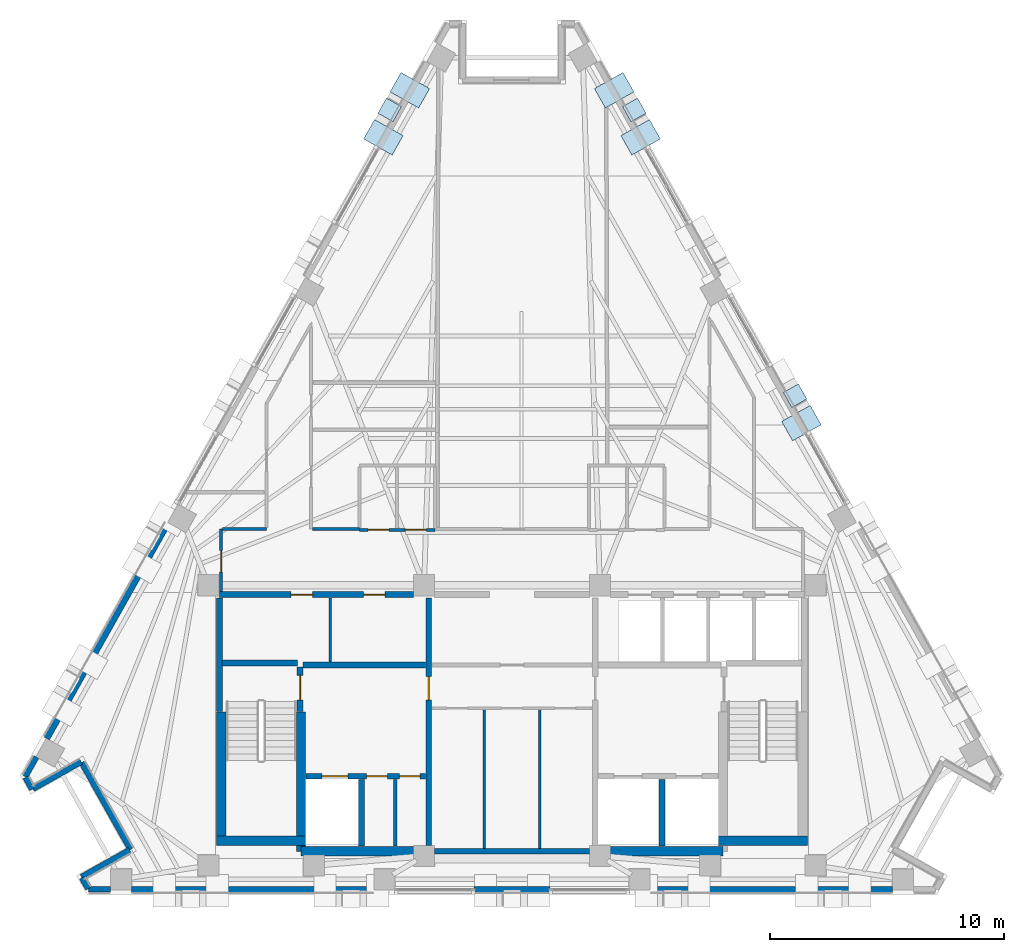
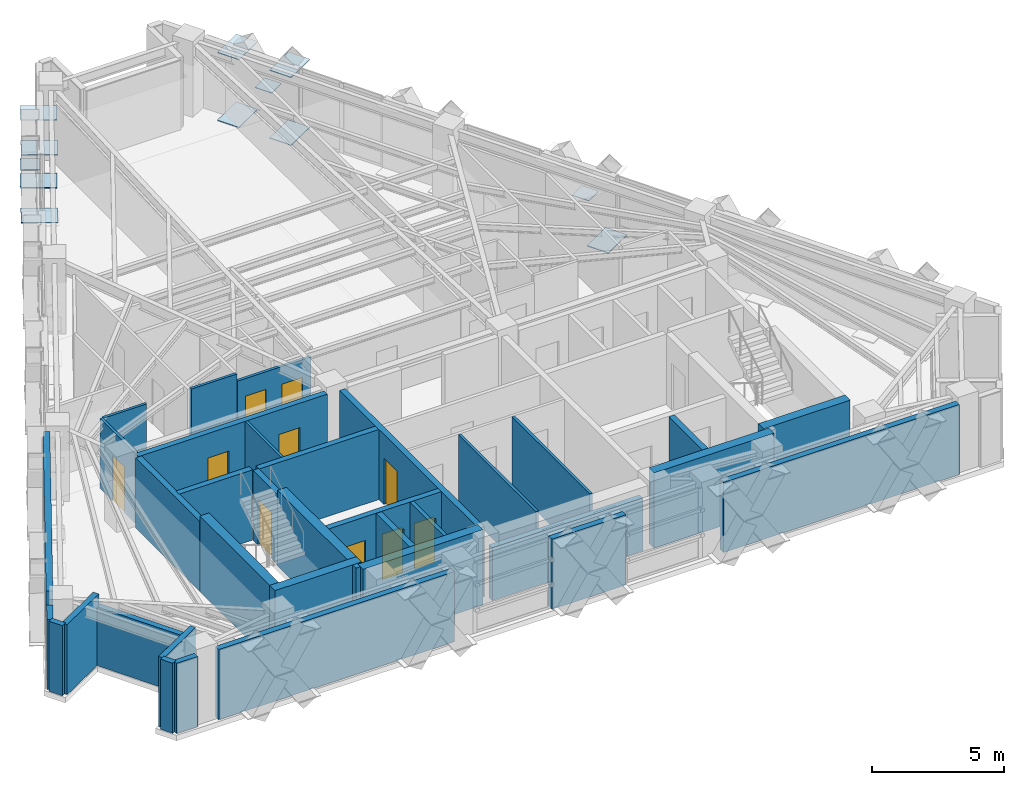
# One storey, part 7 of 13: 35 walls, 12 plates, 10 doors, 10 openings.
"""IFC4 building model written with IfcOpenShell, lengths in metres."""

from ifc_helpers import new_model, si_unit, direction, frame, frame_2d, origin, origin_2d, place, context, subcontext, project, spatial, rectangle, extrude, material, layer, layer_set, type_object, element, fill, save


model = new_model("IFC4")

# Units and contexts
model_context = context("Model", 3, precision=1e-05, world=origin(), true_north=direction((0.0, 1.0)))
body_context = subcontext(model_context, "Body", "Model", "MODEL_VIEW")
ifc_project = project(units=[si_unit("LENGTHUNIT", "METRE"), si_unit("AREAUNIT", "SQUARE_METRE"), si_unit("VOLUMEUNIT", "CUBIC_METRE"), si_unit("PLANEANGLEUNIT", "RADIAN"), si_unit("MASSUNIT", "GRAM", prefix="KILO")], contexts=[model_context])

# Site, building, storey
site_placement = place(None, origin())
site = spatial("IfcSite", under=ifc_project, at=site_placement, CompositionType="ELEMENT")
building_placement = place(site_placement, origin())
building = spatial("IfcBuilding", under=site, at=building_placement, Name="Quenlor Broadcast Tower", CompositionType="ELEMENT")
storey_placement = place(building_placement, frame((0.0, 0.0, 214.89990234375)))
storey = spatial("IfcBuildingStorey", under=building, at=storey_placement, Name="L59", CompositionType="ELEMENT", Elevation=214.89990234375)

# Plates
ifc_material_1 = material(Name="Steel S355", Category="steel")
ifc_layer_1 = layer(ifc_material_1, 0.028076171875)
ifc_layer_set_1 = layer_set([ifc_layer_1], Name="Perimeter Lattice Node Steel S355 Cap Plate 740x740x28")
plate_type_1 = type_object("IfcPlateType", Name="Perimeter Lattice Node Steel S355 Cap Plate 740x740x28", PredefinedType="USERDEFINED", material=ifc_layer_set_1)
for number, where, z_axis, x_axis, name in (
    (1, (5.21484375, 15.4755859375, 1.6162109375), (0.0, 0.0, 1.0), (0.490295412055, -0.871556314255, 0.0), "L59 Diamond Lattice Crossing Node NE-C1"),
    (2, (12.0732421875, 3.283447265625, 1.6162109375), (0.0, 0.0, 1.0), (0.490295412055, -0.871556314255, 0.0), "L59 Diamond Lattice Crossing Node NE-C3"),
    (3, (-5.21484375, 15.4755859375, 1.6162109375), (0.0, 0.0, 1.0), (0.490295412055, 0.871556314255, 0.0), "L59 Diamond Lattice Crossing Node NW-C5"),
):
    element("IfcPlate", number, at=place(storey_placement, frame(where, z_axis=z_axis, x_axis=x_axis)), inside=storey, type_object=plate_type_1, Name=name, ObjectType="CAP PLATE", PredefinedType="USERDEFINED", context=body_context, shape_type="SweptSolid", body=[
        extrude(rectangle(XDim=0.739990234375, YDim=0.739990234375, at=origin_2d()), origin(), (0.0, 0.0, 1.0), 0.028076171875),
    ])
ifc_material_2 = material(Name="Steel S355", Category="steel")
ifc_layer_2 = layer(ifc_material_2, 0.035888671875)
ifc_layer_set_2 = layer_set([ifc_layer_2], Name="Transfer Truss Steel S355 Gusset Node Plate 1400x950x36")
plate_type_2 = type_object("IfcPlateType", Name="Transfer Truss Steel S355 Gusset Node Plate 1400x950x36", PredefinedType="SHEET", material=ifc_layer_set_2)
for number, where, z_axis, x_axis, name in (
    (4, (4.3583984375, 16.315185546875, 0.0419921875), (0.0, 0.0, 1.0), (0.871556314255, 0.490295412055, 0.0), "L59 Lattice Tie Gusset Node NE-B1"),
    (5, (5.48779296875, 14.3076171875, 3.18212890625), (0.0, 0.0, 1.0), (0.871556314255, 0.490295412055, 0.0), "L59 Lattice Tie Gusset Node NE-T2"),
    (6, (5.48779296875, 14.3076171875, 0.0419921875), (0.0, 0.0, 1.0), (0.871556314255, 0.490295412055, 0.0), "L59 Lattice Tie Gusset Node NE-B2"),
    (7, (4.3583984375, 16.315185546875, 3.18212890625), (0.0, 0.0, 1.0), (0.871556314255, 0.490295412055, 0.0), "L59 Lattice Tie Gusset Node NE-T1"),
    (8, (12.345947265625, 2.115234375, 0.0419921875), (0.0, 0.0, 1.0), (0.871556314255, 0.490295412055, 0.0), "L59 Lattice Tie Gusset Node NE-B8"),
    (9, (-5.48779296875, 14.3076171875, 0.0419921875), (0.0, 0.0, 1.0), (-0.871556314255, 0.490295412055, 0.0), "L59 Lattice Tie Gusset Node NW-B13"),
    (10, (-4.3583984375, 16.315185546875, 3.18212890625), (0.0, 0.0, 1.0), (-0.871556314255, 0.490295412055, 0.0), "L59 Lattice Tie Gusset Node NW-T14"),
    (11, (-4.3583984375, 16.315185546875, 0.0419921875), (0.0, 0.0, 1.0), (-0.871556314255, 0.490295412055, 0.0), "L59 Lattice Tie Gusset Node NW-B14"),
    (12, (-5.48779296875, 14.3076171875, 3.18212890625), (0.0, 0.0, 1.0), (-0.871556314255, 0.490295412055, 0.0), "L59 Lattice Tie Gusset Node NW-T13"),
):
    element("IfcPlate", number, at=place(storey_placement, frame(where, z_axis=z_axis, x_axis=x_axis)), inside=storey, type_object=plate_type_2, Name=name, PredefinedType="SHEET", context=body_context, shape_type="SweptSolid", body=[
        extrude(rectangle(XDim=1.39990234375, YDim=0.949951171875, at=origin_2d()), origin(), (0.0, 0.0, 1.0), 0.035888671875),
    ])

# Walls
ifc_material_3 = material(Name="Concrete C50/60", Category="concrete")
ifc_layer_3 = layer(ifc_material_3, 0.39990234375)
ifc_layer_set_3 = layer_set([ifc_layer_3], Name="Core Concrete C50/60 Shear Wall 400")
wall_type_1 = type_object("IfcWallType", Name="Core Concrete C50/60 Shear Wall 400", PredefinedType="SHEAR", material=ifc_layer_set_3)
wall_1_placement = place(storey_placement, frame((-12.60009765625, -15.699951171875, 0.0), z_axis=(0.0, 0.0, 1.0), x_axis=(1.0, 0.0, 0.0)))
element("IfcWall", 13, at=wall_1_placement, inside=storey, type_object=wall_type_1, Name="L59 Core Shear Wall WS-W1", PredefinedType="SHEAR", context=body_context, shape_type="SweptSolid", body=[
    extrude(rectangle(XDim=3.800048828125, YDim=0.39990234375, at=frame_2d((1.89990234375, 0.0))), origin(), (0.0, 0.0, 1.0), 3.5),
])
for number, where, z_axis, x_axis, name in (
    (14, (-9.0, -16.14990234375, 0.0), (0.0, 0.0, 1.0), (1.0, 0.0, 0.0), "L59 Core Shear Wall WS-W2"),
    (15, (3.75, -16.14990234375, 0.0), (0.0, 0.0, 1.0), (1.0, 0.0, 0.0), "L59 Core Shear Wall WS-E1"),
):
    element("IfcWall", number, at=place(storey_placement, frame(where, z_axis=z_axis, x_axis=x_axis)), inside=storey, type_object=wall_type_1, Name=name, PredefinedType="SHEAR", context=body_context, shape_type="SweptSolid", body=[
        extrude(rectangle(XDim=5.25, YDim=0.39990234375, at=frame_2d((2.625, 0.0))), origin(), (0.0, 0.0, 1.0), 3.5),
    ])
wall_2_placement = place(storey_placement, frame((8.800048828125, -15.699951171875, 0.0), z_axis=(0.0, 0.0, 1.0), x_axis=(1.0, 0.0, 0.0)))
element("IfcWall", 16, at=wall_2_placement, inside=storey, type_object=wall_type_1, Name="L59 Core Shear Wall WS-E2", PredefinedType="SHEAR", context=body_context, shape_type="SweptSolid", body=[
    extrude(rectangle(XDim=3.800048828125, YDim=0.39990234375, at=frame_2d((1.89990234375, 0.0))), origin(), (0.0, 0.0, 1.0), 3.5),
])
wall_3_placement = place(storey_placement, frame((-12.39990234375, -15.699951171875, 0.0), z_axis=(0.0, 0.0, 1.0), x_axis=(0.0, 1.0, 0.0)))
element("IfcWall", 17, at=wall_3_placement, inside=storey, type_object=wall_type_1, Name="L59 Core Shear Wall WF-W", PredefinedType="SHEAR", context=body_context, shape_type="SweptSolid", body=[
    extrude(rectangle(XDim=5.5, YDim=0.39990234375, at=frame_2d((2.75, 0.0))), origin(), (0.0, 0.0, 1.0), 3.5),
])
wall_4_placement = place(storey_placement, frame((-9.0, -16.14990234375, 0.0), z_axis=(0.0, 0.0, 1.0), x_axis=(0.0, 1.0, 0.0)))
element("IfcWall", 18, at=wall_4_placement, inside=storey, type_object=wall_type_1, Name="L59 Core Shear Wall WI-W", PredefinedType="SHEAR", context=body_context, shape_type="SweptSolid", body=[
    extrude(rectangle(XDim=5.949951171875, YDim=0.39990234375, at=frame_2d((2.97509765625, 0.0))), origin(), (0.0, 0.0, 1.0), 3.5),
])

# Wall, opening, door
ifc_material_4 = material(Name="Concrete C40/50", Category="concrete")
ifc_layer_4 = layer(ifc_material_4, 0.25)
ifc_layer_set_4 = layer_set([ifc_layer_4], Name="Fire Rated Concrete C40/50 Core Wall 250")
wall_type_2 = type_object("IfcWallType", Name="Fire Rated Concrete C40/50 Core Wall 250", PredefinedType="PARTITIONING", material=ifc_layer_set_4)
wall_5_placement = place(storey_placement, frame((-9.0400390625, -10.179931640625, 0.0), z_axis=(0.0, 0.0, 1.0), x_axis=(0.0, 1.0, 0.0)))
wall_5 = element("IfcWall", 19, at=wall_5_placement, inside=storey, type_object=wall_type_2, Name="L59 Interior Wall CW-ST1-DR", PredefinedType="PARTITIONING", context=body_context, shape_type="SweptSolid", body=[
    extrude(rectangle(XDim=1.89990234375, YDim=0.25, at=frame_2d((0.949951171875, 0.0))), origin(), (0.0, 0.0, 1.0), 3.25),
])
opening_1_placement = place(wall_5_placement, frame((0.47998046875, 0.0, 0.0)))
opening_1 = element("IfcOpeningElement", 20, at=opening_1_placement, cuts=wall_5, Name="Opening FD-1", PredefinedType="OPENING", context=body_context, shape_type="SweptSolid", body=[
    extrude(rectangle(XDim=1.050048828125, YDim=2.14990234375, at=frame_2d((0.52490234375, 1.074951171875))), frame((0.0, 0.135009765625, 0.0), z_axis=(0.0, -1.0, 0.0), x_axis=(1.0, 0.0, 0.0)), (0.0, 0.0, 1.0), 0.27001953125),
])
ifc_material_5 = material(Name="Fire Rated Steel Door Leaf", Category="steel")
door_type_1 = type_object("IfcDoorType", Name="Fire Isolated Stair Door 1050x2150", OperationType="NOTDEFINED", PredefinedType="DOOR", material=ifc_material_5)
door_1_placement = place(opening_1_placement, origin())
door_1 = element("IfcDoor", 21, at=door_1_placement, inside=storey, type_object=door_type_1, Name="L59 Door DR-ST1", OperationType="SINGLE_SWING_LEFT", OverallHeight=2.14990234375, OverallWidth=1.050048828125, PredefinedType="DOOR", context=body_context, shape_type="SweptSolid", body=[
    extrude(rectangle(XDim=1.050048828125, YDim=2.14990234375, at=frame_2d((0.52490234375, 1.074951171875))), frame((0.0, 0.02490234375, 0.0), z_axis=(0.0, -1.0, 0.0), x_axis=(1.0, 0.0, 0.0)), (0.0, 0.0, 1.0), 0.050048828125),
])
fill(opening_1, door_1)

# Walls
wall_6_placement = place(storey_placement, frame((-12.3798828125, -8.1201171875, 0.0), z_axis=(0.0, 0.0, 1.0), x_axis=(1.0, 0.0, 0.0)))
element("IfcWall", 22, at=wall_6_placement, inside=storey, type_object=wall_type_2, Name="L59 Interior Wall CW-ST1-N", PredefinedType="PARTITIONING", context=body_context, shape_type="SweptSolid", body=[
    extrude(rectangle(XDim=3.219970703125, YDim=0.25, at=frame_2d((1.60986328125, 0.0))), origin(), (0.0, 0.0, 1.0), 3.25),
])
wall_7_placement = place(storey_placement, frame((-12.47998046875, -10.179931640625, 0.0), z_axis=(0.0, 0.0, 1.0), x_axis=(0.0, 1.0, 0.0)))
element("IfcWall", 23, at=wall_7_placement, inside=storey, type_object=wall_type_2, Name="L59 Interior Wall CW-ST1-W2", PredefinedType="PARTITIONING", context=body_context, shape_type="SweptSolid", body=[
    extrude(rectangle(XDim=4.83984375, YDim=0.25, at=frame_2d((2.419921875, 0.0))), origin(), (0.0, 0.0, 1.0), 3.25),
])

# Wall, openings, doors
wall_8_placement = place(storey_placement, frame((-8.798095703125, -12.949951171875, 0.0), z_axis=(0.0, 0.0, 1.0), x_axis=(1.0, 0.0, 0.0)))
wall_8 = element("IfcWall", 24, at=wall_8_placement, inside=storey, type_object=wall_type_2, Name="L59 Interior Wall CW-FFW-S", PredefinedType="PARTITIONING", context=body_context, shape_type="SweptSolid", body=[
    extrude(rectangle(XDim=5.1181640625, YDim=0.25, at=frame_2d((2.55908203125, 0.0))), origin(), (0.0, 0.0, 1.0), 3.25),
])
opening_2_placement = place(wall_8_placement, frame((0.697998046875, 0.0, 0.0)))
opening_2 = element("IfcOpeningElement", 25, at=opening_2_placement, cuts=wall_8, Name="Opening LD-FFL-1", PredefinedType="OPENING", context=body_context, shape_type="SweptSolid", body=[
    extrude(rectangle(XDim=1.10009765625, YDim=2.14990234375, at=frame_2d((0.550048828125, 1.074951171875))), frame((0.0, 0.135009765625, 0.0), z_axis=(0.0, -1.0, 0.0), x_axis=(1.0, 0.0, 0.0)), (0.0, 0.0, 1.0), 0.27001953125),
])
opening_3_placement = place(wall_8_placement, frame((2.597900390625, 0.0, 0.0)))
opening_3 = element("IfcOpeningElement", 26, at=opening_3_placement, cuts=wall_8, Name="Opening TD-1", PredefinedType="OPENING", context=body_context, shape_type="SweptSolid", body=[
    extrude(rectangle(XDim=0.8798828125, YDim=2.10009765625, at=frame_2d((0.43994140625, 1.050048828125))), frame((0.0, 0.135009765625, 0.0), z_axis=(0.0, -1.0, 0.0), x_axis=(1.0, 0.0, 0.0)), (0.0, 0.0, 1.0), 0.27001953125),
])
opening_4_placement = place(wall_8_placement, frame((3.998046875, 0.0, 0.0)))
opening_4 = element("IfcOpeningElement", 27, at=opening_4_placement, cuts=wall_8, Name="Opening TD-1", PredefinedType="OPENING", context=body_context, shape_type="SweptSolid", body=[
    extrude(rectangle(XDim=0.8798828125, YDim=2.10009765625, at=frame_2d((0.43994140625, 1.050048828125))), frame((0.0, 0.135009765625, 0.0), z_axis=(0.0, -1.0, 0.0), x_axis=(1.0, 0.0, 0.0)), (0.0, 0.0, 1.0), 0.27001953125),
])
ifc_material_6 = material(Name="Brushed Stainless Steel", Category="steel")
door_type_2 = type_object("IfcDoorType", Name="Emergency Lift Sliding Landing Door 1100x2150", OperationType="NOTDEFINED", PredefinedType="DOOR", material=ifc_material_6)
door_2_placement = place(opening_2_placement, origin())
door_2 = element("IfcDoor", 28, at=door_2_placement, inside=storey, type_object=door_type_2, Name="L59 Door LD-FFL-1", OperationType="SLIDING_TO_LEFT", OverallHeight=2.14990234375, OverallWidth=1.10009765625, PredefinedType="DOOR", context=body_context, shape_type="SweptSolid", body=[
    extrude(rectangle(XDim=1.10009765625, YDim=2.14990234375, at=frame_2d((0.550048828125, 1.074951171875))), frame((0.0, 0.02490234375, 0.0), z_axis=(0.0, -1.0, 0.0), x_axis=(1.0, 0.0, 0.0)), (0.0, 0.0, 1.0), 0.050048828125),
])
fill(opening_2, door_2)
ifc_material_7 = material(Name="Fire Rated Steel Access Panel", Category="steel")
door_type_3 = type_object("IfcDoorType", Name="Riser Shaft Rated Access Trapdoor 880x2100", OperationType="NOTDEFINED", PredefinedType="TRAPDOOR", material=ifc_material_7)
door_3_placement = place(opening_3_placement, origin())
door_3 = element("IfcDoor", 29, at=door_3_placement, inside=storey, type_object=door_type_3, Name="L59 Door DR-ELR", OperationType="SINGLE_SWING_LEFT", OverallHeight=2.10009765625, OverallWidth=0.8798828125, PredefinedType="TRAPDOOR", context=body_context, shape_type="SweptSolid", body=[
    extrude(rectangle(XDim=0.8798828125, YDim=2.10009765625, at=frame_2d((0.43994140625, 1.050048828125))), frame((0.0, 0.02490234375, 0.0), z_axis=(0.0, -1.0, 0.0), x_axis=(1.0, 0.0, 0.0)), (0.0, 0.0, 1.0), 0.050048828125),
])
fill(opening_3, door_3)
door_4_placement = place(opening_4_placement, origin())
door_4 = element("IfcDoor", 30, at=door_4_placement, inside=storey, type_object=door_type_3, Name="L59 Door DR-CMR", OperationType="SINGLE_SWING_RIGHT", OverallHeight=2.10009765625, OverallWidth=0.8798828125, PredefinedType="TRAPDOOR", context=body_context, shape_type="SweptSolid", body=[
    extrude(rectangle(XDim=0.8798828125, YDim=2.10009765625, at=frame_2d((0.43994140625, 1.050048828125))), frame((0.0, 0.02490234375, 0.0), z_axis=(0.0, -1.0, 0.0), x_axis=(1.0, 0.0, 0.0)), (0.0, 0.0, 1.0), 0.050048828125),
])
fill(opening_4, door_4)

# Walls
for number, where, z_axis, x_axis, name in (
    (31, (-6.419921875, -15.919921875, 0.0), (0.0, 0.0, 1.0), (0.0, 1.0, 0.0), "L59 Interior Wall CW-FF1-E"),
    (32, (6.39990234375, -15.919921875, 0.0), (0.0, 0.0, 1.0), (0.0, 1.0, 0.0), "L59 Interior Wall CW-SV1-E"),
):
    element("IfcWall", number, at=place(storey_placement, frame(where, z_axis=z_axis, x_axis=x_axis)), inside=storey, type_object=wall_type_2, Name=name, PredefinedType="PARTITIONING", context=body_context, shape_type="SweptSolid", body=[
        extrude(rectangle(XDim=2.829833984375, YDim=0.25, at=frame_2d((1.4150390625, 0.0))), origin(), (0.0, 0.0, 1.0), 3.25),
    ])
wall_9_placement = place(storey_placement, frame((-8.919921875, -8.199951171875, 0.0), z_axis=(0.0, 0.0, 1.0), x_axis=(1.0, 0.0, 0.0)))
element("IfcWall", 33, at=wall_9_placement, inside=storey, type_object=wall_type_2, Name="L59 Interior Wall CW-FFW-N", PredefinedType="PARTITIONING", context=body_context, shape_type="SweptSolid", body=[
    extrude(rectangle(XDim=5.239990234375, YDim=0.25, at=frame_2d((2.6201171875, 0.0))), origin(), (0.0, 0.0, 1.0), 3.25),
])

# Wall, opening, door
wall_10_placement = place(storey_placement, frame((-3.550048828125, -15.89794921875, 0.0), z_axis=(0.0, 0.0, 1.0), x_axis=(0.0, 1.0, 0.0)))
wall_10 = element("IfcWall", 34, at=wall_10_placement, inside=storey, type_object=wall_type_2, Name="L59 Interior Wall CW-FFW-E", PredefinedType="PARTITIONING", context=body_context, shape_type="SweptSolid", body=[
    extrude(rectangle(XDim=10.557861328125, YDim=0.25, at=frame_2d((5.27880859375, 0.0))), origin(), (0.0, 0.0, 1.0), 3.25),
])
opening_5_placement = place(wall_10_placement, frame((6.197998046875, 0.0, 0.0)))
opening_5 = element("IfcOpeningElement", 35, at=opening_5_placement, cuts=wall_10, Name="Opening FD-2", PredefinedType="OPENING", context=body_context, shape_type="SweptSolid", body=[
    extrude(rectangle(XDim=1.0, YDim=2.14990234375, at=frame_2d((0.5, 1.074951171875))), frame((0.0, 0.135009765625, 0.0), z_axis=(0.0, -1.0, 0.0), x_axis=(1.0, 0.0, 0.0)), (0.0, 0.0, 1.0), 0.27001953125),
])
ifc_material_8 = material(Name="Fire Rated Glazed Steel Door", Category="steel")
door_type_4 = type_object("IfcDoorType", Name="Firefighting Lobby Smoke Door 1000x2150", OperationType="NOTDEFINED", PredefinedType="DOOR", material=ifc_material_8)
door_5_placement = place(opening_5_placement, origin())
door_5 = element("IfcDoor", 36, at=door_5_placement, inside=storey, type_object=door_type_4, Name="L59 Door DR-FFLW", OperationType="SINGLE_SWING_RIGHT", OverallHeight=2.14990234375, OverallWidth=1.0, PredefinedType="DOOR", context=body_context, shape_type="SweptSolid", body=[
    extrude(rectangle(XDim=1.0, YDim=2.14990234375, at=frame_2d((0.5, 1.074951171875))), frame((0.0, 0.02490234375, 0.0), z_axis=(0.0, -1.0, 0.0), x_axis=(1.0, 0.0, 0.0)), (0.0, 0.0, 1.0), 0.050048828125),
])
fill(opening_5, door_5)

# Wall, openings, doors
wall_11_placement = place(storey_placement, frame((-12.47998046875, -5.199951171875, 0.0), z_axis=(0.0, 0.0, 1.0), x_axis=(1.0, 0.0, 0.0)))
wall_11 = element("IfcWall", 37, at=wall_11_placement, inside=storey, type_object=wall_type_2, Name="L59 Interior Wall CW-N-W", PredefinedType="PARTITIONING", context=body_context, shape_type="SweptSolid", body=[
    extrude(rectangle(XDim=8.278076171875, YDim=0.25, at=frame_2d((4.13916015625, 0.0))), origin(), (0.0, 0.0, 1.0), 3.25),
])
opening_6_placement = place(wall_11_placement, frame((3.050048828125, 0.0, 0.0)))
opening_6 = element("IfcOpeningElement", 38, at=opening_6_placement, cuts=wall_11, Name="Opening ID-1", PredefinedType="OPENING", context=body_context, shape_type="SweptSolid", body=[
    extrude(rectangle(XDim=0.919921875, YDim=2.1201171875, at=frame_2d((0.4599609375, 1.06005859375))), frame((0.0, 0.135009765625, 0.0), z_axis=(0.0, -1.0, 0.0), x_axis=(1.0, 0.0, 0.0)), (0.0, 0.0, 1.0), 0.27001953125),
])
opening_7_placement = place(wall_11_placement, frame((6.14990234375, 0.0, 0.0)))
opening_7 = element("IfcOpeningElement", 39, at=opening_7_placement, cuts=wall_11, Name="Opening ID-1", PredefinedType="OPENING", context=body_context, shape_type="SweptSolid", body=[
    extrude(rectangle(XDim=0.919921875, YDim=2.1201171875, at=frame_2d((0.4599609375, 1.06005859375))), frame((0.0, 0.135009765625, 0.0), z_axis=(0.0, -1.0, 0.0), x_axis=(1.0, 0.0, 0.0)), (0.0, 0.0, 1.0), 0.27001953125),
])
ifc_material_9 = material(Name="Solid Core Timber Oak", Category="wood")
door_type_5 = type_object("IfcDoorType", Name="Single Leaf Timber Office Door 920x2120", OperationType="NOTDEFINED", PredefinedType="DOOR", material=ifc_material_9)
door_6_placement = place(opening_6_placement, origin())
door_6 = element("IfcDoor", 40, at=door_6_placement, inside=storey, type_object=door_type_5, Name="L59 Door DR-RCL1", OperationType="SINGLE_SWING_LEFT", OverallHeight=2.1201171875, OverallWidth=0.919921875, PredefinedType="DOOR", context=body_context, shape_type="SweptSolid", body=[
    extrude(rectangle(XDim=0.919921875, YDim=2.1201171875, at=frame_2d((0.4599609375, 1.06005859375))), frame((0.0, 0.02490234375, 0.0), z_axis=(0.0, -1.0, 0.0), x_axis=(1.0, 0.0, 0.0)), (0.0, 0.0, 1.0), 0.050048828125),
])
fill(opening_6, door_6)
door_7_placement = place(opening_7_placement, origin())
door_7 = element("IfcDoor", 41, at=door_7_placement, inside=storey, type_object=door_type_5, Name="L59 Door DR-RCL2", OperationType="SINGLE_SWING_RIGHT", OverallHeight=2.1201171875, OverallWidth=0.919921875, PredefinedType="DOOR", context=body_context, shape_type="SweptSolid", body=[
    extrude(rectangle(XDim=0.919921875, YDim=2.1201171875, at=frame_2d((0.4599609375, 1.06005859375))), frame((0.0, 0.02490234375, 0.0), z_axis=(0.0, -1.0, 0.0), x_axis=(1.0, 0.0, 0.0)), (0.0, 0.0, 1.0), 0.050048828125),
])
fill(opening_7, door_7)

# Walls
wall_12_placement = place(storey_placement, frame((-3.298095703125, -16.14990234375, 0.0), z_axis=(0.0, 0.0, 1.0), x_axis=(1.0, 0.0, 0.0)))
element("IfcWall", 42, at=wall_12_placement, inside=storey, type_object=wall_type_2, Name="L59 Interior Wall CW-MS-S", PredefinedType="PARTITIONING", context=body_context, shape_type="SweptSolid", body=[
    extrude(rectangle(XDim=6.59619140625, YDim=0.25, at=frame_2d((3.298095703125, 0.0))), origin(), (0.0, 0.0, 1.0), 2.4501953125),
])
ifc_material_10 = material(Name="Gypsum Fireboard Partition", Category="other")
ifc_layer_5 = layer(ifc_material_10, 0.159912109375)
ifc_layer_set_5 = layer_set([ifc_layer_5], Name="Fire Rated Shaft and Corridor Partition 160")
wall_type_3 = type_object("IfcWallType", Name="Fire Rated Shaft and Corridor Partition 160", PredefinedType="PARTITIONING", material=ifc_layer_set_5)
wall_13_placement = place(storey_placement, frame((-4.97998046875, -15.919921875, 0.0), z_axis=(0.0, 0.0, 1.0), x_axis=(0.0, 1.0, 0.0)))
element("IfcWall", 43, at=wall_13_placement, inside=storey, type_object=wall_type_3, Name="L59 Interior Wall CW-ELR-E", PredefinedType="PARTITIONING", context=body_context, shape_type="SweptSolid", body=[
    extrude(rectangle(XDim=2.829833984375, YDim=0.159912109375, at=frame_2d((1.4150390625, 0.0))), origin(), (0.0, 0.0, 1.0), 3.25),
])
ifc_material_11 = material(Name="Gypsum Plasterboard Partition", Category="other")
ifc_layer_6 = layer(ifc_material_11, 0.1201171875)
ifc_layer_set_6 = layer_set([ifc_layer_6], Name="Standard Office Partition 120")
wall_type_4 = type_object("IfcWallType", Name="Standard Office Partition 120", PredefinedType="PARTITIONING", material=ifc_layer_set_6)
wall_14_placement = place(storey_placement, frame((-7.75, -8.072998046875, 0.0), z_axis=(0.0, 0.0, 1.0), x_axis=(0.0, 1.0, 0.0)))
element("IfcWall", 44, at=wall_14_placement, inside=storey, type_object=wall_type_4, Name="L59 Interior Wall CW-RCL-MID", PredefinedType="PARTITIONING", context=body_context, shape_type="SweptSolid", body=[
    extrude(rectangle(XDim=2.73291015625, YDim=0.1201171875, at=frame_2d((1.366455078125, 0.0))), origin(), (0.0, 0.0, 1.0), 3.25),
])
for number, where, z_axis, x_axis, name in (
    (45, (-1.179931640625, -16.02001953125, 0.0), (0.0, 0.0, 1.0), (0.0, 1.0, 0.0), "L59 Interior Wall CW-RCM-W3"),
    (46, (1.179931640625, -16.02001953125, 0.0), (0.0, 0.0, 1.0), (0.0, 1.0, 0.0), "L59 Interior Wall CW-RCM-E3"),
):
    element("IfcWall", number, at=place(storey_placement, frame(where, z_axis=z_axis, x_axis=x_axis)), inside=storey, type_object=wall_type_4, Name=name, PredefinedType="PARTITIONING", context=body_context, shape_type="SweptSolid", body=[
        extrude(rectangle(XDim=5.89013671875, YDim=0.1201171875, at=frame_2d((2.945068359375, 0.0))), origin(), (0.0, 0.0, 1.0), 3.25),
    ])

# Wall, openings, doors
wall_15_placement = place(storey_placement, frame((-6.510009765625, -2.43994140625, 0.0), z_axis=(0.0, 0.0, 1.0), x_axis=(1.0, 0.0, 0.0)))
wall_15 = element("IfcWall", 47, at=wall_15_placement, inside=storey, type_object=wall_type_4, Name="L59 Interior Wall PW-WCW-S", PredefinedType="PARTITIONING", context=body_context, shape_type="SweptSolid", body=[
    extrude(rectangle(XDim=3.219970703125, YDim=0.1201171875, at=frame_2d((1.60986328125, 0.0))), origin(), (0.0, 0.0, 1.0), 2.94287109375),
])
opening_8_placement = place(wall_15_placement, frame((0.360107421875, 0.0, 0.0)))
opening_8 = element("IfcOpeningElement", 48, at=opening_8_placement, cuts=wall_15, Name="Opening ID-3", PredefinedType="OPENING", context=body_context, shape_type="SweptSolid", body=[
    extrude(rectangle(XDim=0.89990234375, YDim=2.1201171875, at=frame_2d((0.449951171875, 1.06005859375))), frame((0.0, 0.070068359375, 0.0), z_axis=(0.0, -1.0, 0.0), x_axis=(1.0, 0.0, 0.0)), (0.0, 0.0, 1.0), 0.14013671875),
])
opening_9_placement = place(wall_15_placement, frame((1.9599609375, 0.0, 0.0)))
opening_9 = element("IfcOpeningElement", 49, at=opening_9_placement, cuts=wall_15, Name="Opening ID-3", PredefinedType="OPENING", context=body_context, shape_type="SweptSolid", body=[
    extrude(rectangle(XDim=0.89990234375, YDim=2.1201171875, at=frame_2d((0.449951171875, 1.06005859375))), frame((0.0, 0.070068359375, 0.0), z_axis=(0.0, -1.0, 0.0), x_axis=(1.0, 0.0, 0.0)), (0.0, 0.0, 1.0), 0.14013671875),
])
ifc_material_12 = material(Name="Moisture Resistant Timber Oak", Category="wood")
door_type_6 = type_object("IfcDoorType", Name="Washroom Privacy Door 900x2120", OperationType="NOTDEFINED", PredefinedType="DOOR", material=ifc_material_12)
door_8_placement = place(opening_8_placement, origin())
door_8 = element("IfcDoor", 50, at=door_8_placement, inside=storey, type_object=door_type_6, Name="L59 Door DR-AWC", OperationType="SINGLE_SWING_LEFT", OverallHeight=2.1201171875, OverallWidth=0.89990234375, PredefinedType="DOOR", context=body_context, shape_type="SweptSolid", body=[
    extrude(rectangle(XDim=0.89990234375, YDim=2.1201171875, at=frame_2d((0.449951171875, 1.06005859375))), frame((0.0, 0.02490234375, 0.0), z_axis=(0.0, -1.0, 0.0), x_axis=(1.0, 0.0, 0.0)), (0.0, 0.0, 1.0), 0.050048828125),
])
fill(opening_8, door_8)
door_9_placement = place(opening_9_placement, origin())
door_9 = element("IfcDoor", 51, at=door_9_placement, inside=storey, type_object=door_type_6, Name="L59 Door DR-SHW", OperationType="SINGLE_SWING_RIGHT", OverallHeight=2.1201171875, OverallWidth=0.89990234375, PredefinedType="DOOR", context=body_context, shape_type="SweptSolid", body=[
    extrude(rectangle(XDim=0.89990234375, YDim=2.1201171875, at=frame_2d((0.449951171875, 1.06005859375))), frame((0.0, 0.02490234375, 0.0), z_axis=(0.0, -1.0, 0.0), x_axis=(1.0, 0.0, 0.0)), (0.0, 0.0, 1.0), 0.050048828125),
])
fill(opening_9, door_9)

# Wall, opening, door
wall_16_placement = place(storey_placement, frame((-12.409912109375, -5.072998046875, 0.0), z_axis=(0.0, 0.0, 1.0), x_axis=(0.0, 1.0, 0.0)))
wall_16 = element("IfcWall", 52, at=wall_16_placement, inside=storey, type_object=wall_type_4, Name="L59 Interior Wall PW-CR-01", PredefinedType="PARTITIONING", context=body_context, shape_type="SweptSolid", body=[
    extrude(rectangle(XDim=2.673095703125, YDim=0.1201171875, at=frame_2d((1.33642578125, 0.0))), origin(), (0.0, 0.0, 1.0), 3.25),
])
opening_10_placement = place(wall_16_placement, frame((0.827880859375, 0.0, 0.0)))
opening_10 = element("IfcOpeningElement", 53, at=opening_10_placement, cuts=wall_16, Name="Opening ID-1", PredefinedType="OPENING", context=body_context, shape_type="SweptSolid", body=[
    extrude(rectangle(XDim=0.919921875, YDim=2.1201171875, at=frame_2d((0.4599609375, 1.06005859375))), frame((0.0, 0.070068359375, 0.0), z_axis=(0.0, -1.0, 0.0), x_axis=(1.0, 0.0, 0.0)), (0.0, 0.0, 1.0), 0.14013671875),
])
door_10_placement = place(opening_10_placement, origin())
door_10 = element("IfcDoor", 54, at=door_10_placement, inside=storey, type_object=door_type_5, Name="L59 Door DR-RM08", OperationType="SINGLE_SWING_LEFT", OverallHeight=2.1201171875, OverallWidth=0.919921875, PredefinedType="DOOR", context=body_context, shape_type="SweptSolid", body=[
    extrude(rectangle(XDim=0.919921875, YDim=2.1201171875, at=frame_2d((0.4599609375, 1.06005859375))), frame((0.0, 0.02490234375, 0.0), z_axis=(0.0, -1.0, 0.0), x_axis=(1.0, 0.0, 0.0)), (0.0, 0.0, 1.0), 0.050048828125),
])
fill(opening_10, door_10)

# Walls
wall_17_placement = place(storey_placement, frame((-12.347900390625, -2.39990234375, 0.0), z_axis=(0.0, 0.0, 1.0), x_axis=(1.0, 0.0, 0.0)))
element("IfcWall", 55, at=wall_17_placement, inside=storey, type_object=wall_type_4, Name="L59 Interior Wall PW-CR-02", PredefinedType="PARTITIONING", context=body_context, shape_type="SweptSolid", body=[
    extrude(rectangle(XDim=1.8779296875, YDim=0.1201171875, at=frame_2d((0.93896484375, 0.0))), origin(), (0.0, 0.0, 1.0), 3.25),
])
wall_18_placement = place(storey_placement, frame((-8.508056640625, -2.39990234375, 0.0), z_axis=(0.0, 0.0, 1.0), x_axis=(1.0, 0.0, 0.0)))
element("IfcWall", 56, at=wall_18_placement, inside=storey, type_object=wall_type_4, Name="L59 Interior Wall PW-CR-06", PredefinedType="PARTITIONING", context=body_context, shape_type="SweptSolid", body=[
    extrude(rectangle(XDim=1.99609375, YDim=0.1201171875, at=frame_2d((0.998046875, 0.0))), origin(), (0.0, 0.0, 1.0), 3.25),
])
ifc_material_13 = material(Name="Precast concrete C40/50", Category="concrete")
ifc_layer_7 = layer(ifc_material_13, 0.239990234375)
ifc_layer_set_7 = layer_set([ifc_layer_7], Name="Terrace Threshold Precast Concrete C40/50 Wall 240")
wall_type_5 = type_object("IfcWallType", Name="Terrace Threshold Precast Concrete C40/50 Wall 240", PredefinedType="STANDARD", material=ifc_layer_set_7)
wall_19_placement = place(storey_placement, frame((-17.130859375, -17.77490234375, 0.0), z_axis=(0.0, 0.0, 1.0), x_axis=(-1.0, 0.0, 0.0)))
element("IfcWall", 57, at=wall_19_placement, inside=storey, type_object=wall_type_5, Name="L59 Exterior Wall L59-SHD-SS1", PredefinedType="STANDARD", context=body_context, shape_type="SweptSolid", body=[
    extrude(rectangle(XDim=0.93505859375, YDim=0.239990234375, at=frame_2d((0.467529296875, 0.0))), origin(), (0.0, 0.0, 1.0), 3.25),
])
wall_20_placement = place(storey_placement, frame((-20.762451171875, -12.969970703125, 0.0), z_axis=(0.0, 0.0, 1.0), x_axis=(0.490345412687, 0.87152818443, 0.0)))
element("IfcWall", 58, at=wall_20_placement, inside=storey, type_object=wall_type_5, Name="L59 Exterior Wall L59-SHD-NWS0", PredefinedType="STANDARD", context=body_context, shape_type="SweptSolid", body=[
    extrude(rectangle(XDim=0.9638671875, YDim=0.239990234375, at=frame_2d((0.48193359375, 0.0))), origin(), (0.0, 0.0, 1.0), 3.25),
])
wall_21_placement = place(storey_placement, frame((-20.75537109375, -12.999267578125, 0.0), z_axis=(0.0, 0.0, 1.0), x_axis=(0.490320776404, -0.871542045014, 0.0)))
element("IfcWall", 59, at=wall_21_placement, inside=storey, type_object=wall_type_5, Name="L59 Exterior Wall L59-CNR-12", PredefinedType="STANDARD", context=body_context, shape_type="SweptSolid", body=[
    extrude(rectangle(XDim=0.583984375, YDim=0.239990234375, at=frame_2d((0.2919921875, 0.0))), origin(), (0.0, 0.0, 1.0), 3.25),
])
wall_22_placement = place(storey_placement, frame((-20.43408203125, -13.488525390625, 0.0), z_axis=(0.0, 0.0, 1.0), x_axis=(0.871578299909, 0.490256327984, 0.0)))
element("IfcWall", 60, at=wall_22_placement, inside=storey, type_object=wall_type_5, Name="L59 Exterior Wall L59-CNR-13", PredefinedType="STANDARD", context=body_context, shape_type="SweptSolid", body=[
    extrude(rectangle(XDim=2.35986328125, YDim=0.239990234375, at=frame_2d((1.179931640625, 0.0))), origin(), (0.0, 0.0, 1.0), 3.25),
])
wall_23_placement = place(storey_placement, frame((-18.357666015625, -12.366455078125, 0.0), z_axis=(0.0, 0.0, 1.0), x_axis=(0.49027487746, -0.871567865706, 0.0)))
element("IfcWall", 61, at=wall_23_placement, inside=storey, type_object=wall_type_5, Name="L59 Exterior Wall L59-CNR-14", PredefinedType="STANDARD", context=body_context, shape_type="SweptSolid", body=[
    extrude(rectangle(XDim=4.249755859375, YDim=0.239990234375, at=frame_2d((2.125, 0.0))), origin(), (0.0, 0.0, 1.0), 2.721923828125),
])
wall_24_placement = place(storey_placement, frame((-16.30908203125, -16.08984375, 0.0), z_axis=(0.0, 0.0, 1.0), x_axis=(-0.871578299909, -0.490256327984, 0.0)))
element("IfcWall", 62, at=wall_24_placement, inside=storey, type_object=wall_type_5, Name="L59 Exterior Wall L59-CNR-15", PredefinedType="STANDARD", context=body_context, shape_type="SweptSolid", body=[
    extrude(rectangle(XDim=2.35986328125, YDim=0.239990234375, at=frame_2d((1.179931640625, 0.0))), origin(), (0.0, 0.0, 1.0), 3.25),
])
wall_25_placement = place(storey_placement, frame((-18.346435546875, -17.28173828125, 0.0), z_axis=(0.0, 0.0, 1.0), x_axis=(0.49038986747, -0.87150317147, 0.0)))
element("IfcWall", 63, at=wall_25_placement, inside=storey, type_object=wall_type_5, Name="L59 Exterior Wall L59-CNR-16", PredefinedType="STANDARD", context=body_context, shape_type="SweptSolid", body=[
    extrude(rectangle(XDim=0.540771484375, YDim=0.239990234375, at=frame_2d((0.2705078125, 0.0))), origin(), (0.0, 0.0, 1.0), 3.25),
])
ifc_material_14 = material(Name="Precast concrete C40/50", Category="concrete")
ifc_layer_8 = layer(ifc_material_14, 0.260009765625)
ifc_layer_set_8 = layer_set([ifc_layer_8], Name="Terracotta Precast Concrete C40/50 Upper Wall 260")
wall_type_6 = type_object("IfcWallType", Name="Terracotta Precast Concrete C40/50 Upper Wall 260", PredefinedType="STANDARD", material=ifc_layer_set_8)
for number, where, z_axis, x_axis, name in (
    (64, (16.220947265625, -17.77490234375, 0.0), (0.0, 0.0, 1.0), (-1.0, 0.0, 0.0), "L59 Exterior Wall L59-EW-SA"),
    (65, (-5.892822265625, -17.77490234375, 0.0), (0.0, 0.0, 1.0), (-1.0, 0.0, 0.0), "L59 Exterior Wall L59-EW-SC"),
):
    element("IfcWall", number, at=place(storey_placement, frame(where, z_axis=z_axis, x_axis=x_axis)), inside=storey, type_object=wall_type_6, Name=name, PredefinedType="STANDARD", context=body_context, shape_type="SweptSolid", body=[
        extrude(rectangle(XDim=10.328125, YDim=0.260009765625, at=frame_2d((5.1640625, 0.0))), origin(), (0.0, 0.0, 1.0), 3.25),
    ])
wall_26_placement = place(storey_placement, frame((1.62109375, -17.77490234375, 0.0), z_axis=(0.0, 0.0, 1.0), x_axis=(-1.0, 0.0, 0.0)))
element("IfcWall", 66, at=wall_26_placement, inside=storey, type_object=wall_type_6, Name="L59 Exterior Wall L59-S-SP1", PredefinedType="STANDARD", context=body_context, shape_type="SweptSolid", body=[
    extrude(rectangle(XDim=3.2421875, YDim=0.260009765625, at=frame_2d((1.62109375, 0.0))), origin(), (0.0, 0.0, 1.0), 3.25),
])
wall_27_placement = place(storey_placement, frame((-19.84375, -11.3369140625, 0.0), z_axis=(0.0, 0.0, 1.0), x_axis=(0.490246958575, 0.871583570066, 0.0)))
element("IfcWall", 67, at=wall_27_placement, inside=storey, type_object=wall_type_6, Name="L59 Exterior Wall L59-EW-NWA", PredefinedType="STANDARD", context=body_context, shape_type="SweptSolid", body=[
    extrude(rectangle(XDim=10.551513671875, YDim=0.260009765625, at=frame_2d((5.27587890625, 0.0))), origin(), (0.0, 0.0, 1.0), 3.25),
])

save(model, "model.ifc")
